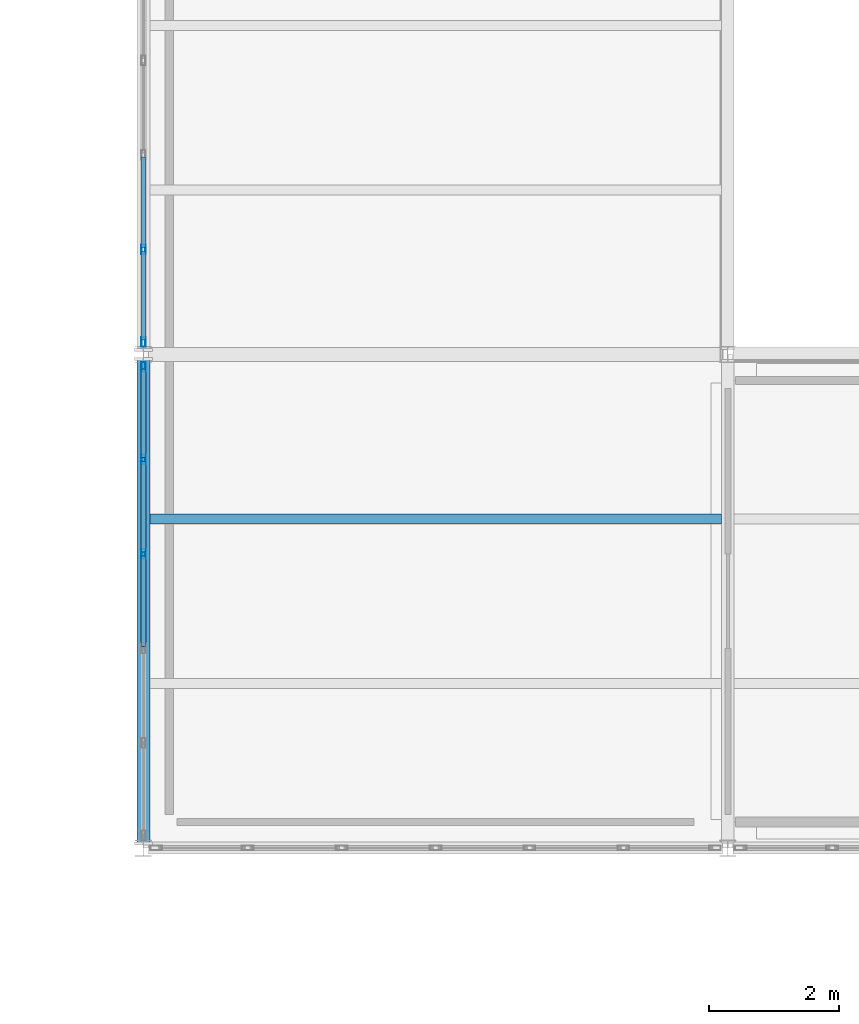
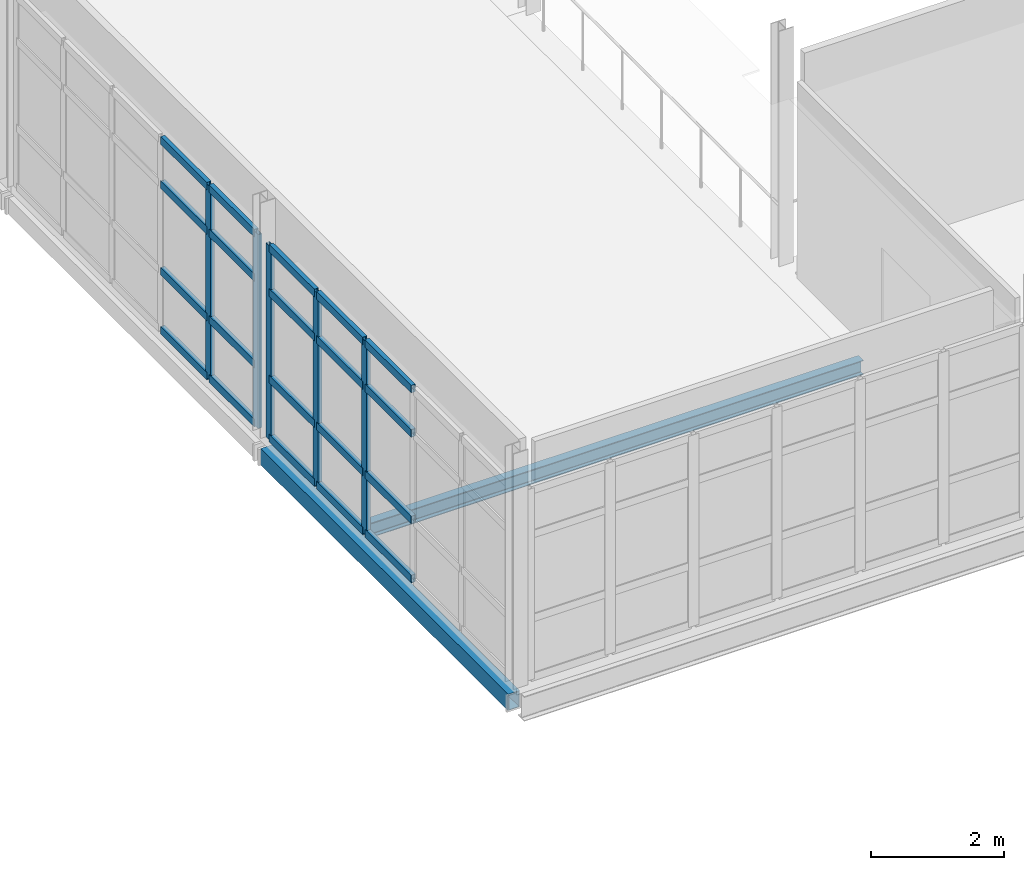
# One storey, part 15 of 48: 25 members, 2 beams, 2 elements without a shape of their own.
"""IFC4 building model written with IfcOpenShell, lengths in metres."""

from ifc_helpers import new_model, si_unit, direction, frame, origin, origin_2d, place, context, subcontext, project, spatial, hollow_rectangle, i_section, extrude, material, material_profile, profile_set, type_object, element, aggregate, save


model = new_model("IFC4")

# Units and contexts
model_context = context("Model", 3, precision=1e-05, world=origin(), true_north=direction((0.0, 1.0)))
body_context = subcontext(model_context, "Body", "Model", "MODEL_VIEW")
ifc_project = project(units=[si_unit("LENGTHUNIT", "METRE"), si_unit("AREAUNIT", "SQUARE_METRE"), si_unit("VOLUMEUNIT", "CUBIC_METRE"), si_unit("PLANEANGLEUNIT", "RADIAN"), si_unit("MASSUNIT", "GRAM", prefix="KILO")], contexts=[model_context])

# Site, building, storey
site_placement = place(None, origin())
site = spatial("IfcSite", under=ifc_project, at=site_placement, CompositionType="ELEMENT")
building_placement = place(site_placement, origin())
building = spatial("IfcBuilding", under=site, at=building_placement, Name="Caisbarro Railhouse Central Library", CompositionType="ELEMENT")
storey_placement = place(building_placement, frame((0.0, 0.0, 18.0)))
storey = spatial("IfcBuildingStorey", under=building, at=storey_placement, Name="L04", CompositionType="ELEMENT", Elevation=18.0)

# Beams
ifc_material_1 = material(Name="Steel ASTM A572 Grade 50", Category="steel")
ifc_material_profile_1 = material_profile(ifc_material_1, i_section(OverallWidth=0.14794921875, OverallDepth=0.26611328125, WebThickness=0.007568359375, FlangeThickness=0.012939453125, FilletRadius=0.010009765625, at=origin_2d()), Name="W250X44.8")
ifc_profile_set_1 = profile_set([ifc_material_profile_1], Name="Steel ASTM A572 Grade 50")
beam_type_1 = type_object("IfcBeamType", Name="BM-J04", PredefinedType="JOIST", material=ifc_profile_set_1)
beam_1_placement = place(storey_placement, frame((117.10009765625, 73.466796875, -0.35302734375), z_axis=(1.0, 0.0, 0.0), x_axis=(0.0, 1.0, 0.0)))
element("IfcBeam", 1, at=beam_1_placement, inside=storey, type_object=beam_type_1, Name="J04 beam L04 #2117", PredefinedType="JOIST", context=body_context, shape_type="SweptSolid", body=[
    extrude(i_section(OverallWidth=0.14794921875, OverallDepth=0.26611328125, WebThickness=0.007568359375, FlangeThickness=0.012939453125, FilletRadius=0.010009765625, at=origin_2d()), origin(), (0.0, 0.0, 1.0), 8.804931640625),
])
ifc_material_profile_2 = material_profile(ifc_material_1, hollow_rectangle(XDim=0.199951171875, YDim=0.300048828125, WallThickness=0.012451171875, at=origin_2d()), Name="HSS300X200X12.5")
ifc_profile_set_2 = profile_set([ifc_material_profile_2], Name="Steel ASTM A572 Grade 50")
beam_type_2 = type_object("IfcBeamType", Name="BM-SP02", PredefinedType="SPANDREL", material=ifc_profile_set_2)
beam_2_placement = place(storey_placement, frame((117.0, 68.47998046875, -0.3701171875), z_axis=(0.0, 1.0, 0.0), x_axis=(-1.0, 0.0, 0.0)))
element("IfcBeam", 2, at=beam_2_placement, inside=storey, type_object=beam_type_2, Name="SP02 beam L04 #2094", PredefinedType="SPANDREL", context=body_context, shape_type="SweptSolid", body=[
    extrude(hollow_rectangle(XDim=0.199951171875, YDim=0.300048828125, WallThickness=0.012451171875, at=origin_2d()), origin(), (0.0, 0.0, 1.0), 7.43994140625),
])

# Curtain wall, members
ifc_material_2 = material(Name="Anodised architectural aluminium", Category="aluminium")
curtain_wall_type = type_object("IfcCurtainWallType", Name="CW-CW02", PredefinedType="NOTDEFINED", material=ifc_material_2)
curtain_wall_1_placement = place(storey_placement, origin())
curtain_wall_1 = element("IfcCurtainWall", 3, at=curtain_wall_1_placement, inside=storey, type_object=curtain_wall_type, Name="CW02 curtain wall L04 #155", PredefinedType="NOTDEFINED")
ifc_material_profile_3 = material_profile(ifc_material_2, hollow_rectangle(XDim=0.06494140625, YDim=0.14990234375, WallThickness=0.00390625, at=origin_2d()), Name="ALU-MUL-65X150")
ifc_profile_set_3 = profile_set([ifc_material_profile_3], Name="Anodised architectural aluminium")
member_type_1 = type_object("IfcMemberType", Name="CWM-M02", PredefinedType="MULLION", material=ifc_profile_set_3)
member_1_placement = place(storey_placement, frame((117.0, 72.927978515625, 0.0), z_axis=(0.0, 0.0, 1.0), x_axis=(-1.0, 0.0, 0.0)))
member_1 = element("IfcMember", 4, at=member_1_placement, type_object=member_type_1, Name="CW02 mullion 4", PredefinedType="MULLION", context=body_context, shape_type="SweptSolid", body=[
    extrude(hollow_rectangle(XDim=0.06494140625, YDim=0.14990234375, WallThickness=0.00390625, at=origin_2d()), origin(), (0.0, 0.0, 1.0), 3.56005859375),
])
member_2_placement = place(storey_placement, frame((117.0, 74.384033203125, 0.0), z_axis=(0.0, 0.0, 1.0), x_axis=(-1.0, 0.0, 0.0)))
member_2 = element("IfcMember", 5, at=member_2_placement, type_object=member_type_1, Name="CW02 mullion 5", PredefinedType="MULLION", context=body_context, shape_type="SweptSolid", body=[
    extrude(hollow_rectangle(XDim=0.06494140625, YDim=0.14990234375, WallThickness=0.00390625, at=origin_2d()), origin(), (0.0, 0.0, 1.0), 3.56005859375),
])
member_3_placement = place(storey_placement, frame((117.0, 75.8076171875, 0.0), z_axis=(0.0, 0.0, 1.0), x_axis=(-1.0, 0.0, 0.0)))
member_3 = element("IfcMember", 6, at=member_3_placement, type_object=member_type_1, Name="CW02 mullion 6", PredefinedType="MULLION", context=body_context, shape_type="SweptSolid", body=[
    extrude(hollow_rectangle(XDim=0.06494140625, YDim=0.14990234375, WallThickness=0.00390625, at=origin_2d()), origin(), (0.0, 0.0, 1.0), 3.56005859375),
])

curtain_wall_2_placement = place(storey_placement, origin())
curtain_wall_2 = element("IfcCurtainWall", 7, at=curtain_wall_2_placement, inside=storey, type_object=curtain_wall_type, Name="CW02 curtain wall L04 #156", PredefinedType="NOTDEFINED")
member_4_placement = place(storey_placement, frame((117.0, 76.1923828125, 0.0), z_axis=(0.0, 0.0, 1.0), x_axis=(-1.0, 0.0, 0.0)))
member_4 = element("IfcMember", 8, at=member_4_placement, type_object=member_type_1, Name="CW02 mullion 1", PredefinedType="MULLION", context=body_context, shape_type="SweptSolid", body=[
    extrude(hollow_rectangle(XDim=0.06494140625, YDim=0.14990234375, WallThickness=0.00390625, at=origin_2d()), origin(), (0.0, 0.0, 1.0), 3.56005859375),
])
member_5_placement = place(storey_placement, frame((117.0, 77.615966796875, 0.0), z_axis=(0.0, 0.0, 1.0), x_axis=(-1.0, 0.0, 0.0)))
member_5 = element("IfcMember", 9, at=member_5_placement, type_object=member_type_1, Name="CW02 mullion 2", PredefinedType="MULLION", context=body_context, shape_type="SweptSolid", body=[
    extrude(hollow_rectangle(XDim=0.06494140625, YDim=0.14990234375, WallThickness=0.00390625, at=origin_2d()), origin(), (0.0, 0.0, 1.0), 3.56005859375),
])

# Member
ifc_material_profile_4 = material_profile(ifc_material_2, hollow_rectangle(XDim=0.074951171875, YDim=0.139892578125, WallThickness=0.00390625, at=origin_2d()), Name="ALU-TRN-75X140")
ifc_profile_set_4 = profile_set([ifc_material_profile_4], Name="Anodised architectural aluminium")
member_type_2 = type_object("IfcMemberType", Name="CWT-T01", PredefinedType="USERDEFINED", material=ifc_profile_set_4)
member_6_placement = place(storey_placement, frame((117.0, 71.50439453125, 0.03759765625), z_axis=(0.0, 1.0, 0.0), x_axis=(-1.0, 0.0, 0.0)))
member_6 = element("IfcMember", 10, at=member_6_placement, type_object=member_type_2, Name="CW02 transom 3.1", ObjectType="TRANSOM", PredefinedType="USERDEFINED", context=body_context, shape_type="SweptSolid", body=[
    extrude(hollow_rectangle(XDim=0.074951171875, YDim=0.139892578125, WallThickness=0.00390625, at=origin_2d()), origin(), (0.0, 0.0, 1.0), 1.39111328125),
])

member_7_placement = place(storey_placement, frame((117.0, 71.50439453125, 1.1201171875), z_axis=(0.0, 1.0, 0.0), x_axis=(-1.0, 0.0, 0.0)))
member_7 = element("IfcMember", 11, at=member_7_placement, type_object=member_type_2, Name="CW02 transom 3.2", ObjectType="TRANSOM", PredefinedType="USERDEFINED", context=body_context, shape_type="SweptSolid", body=[
    extrude(hollow_rectangle(XDim=0.074951171875, YDim=0.139892578125, WallThickness=0.00390625, at=origin_2d()), origin(), (0.0, 0.0, 1.0), 1.39111328125),
])

member_8_placement = place(storey_placement, frame((117.0, 71.50439453125, 2.7099609375), z_axis=(0.0, 1.0, 0.0), x_axis=(-1.0, 0.0, 0.0)))
member_8 = element("IfcMember", 12, at=member_8_placement, type_object=member_type_2, Name="CW02 transom 3.3", ObjectType="TRANSOM", PredefinedType="USERDEFINED", context=body_context, shape_type="SweptSolid", body=[
    extrude(hollow_rectangle(XDim=0.074951171875, YDim=0.139892578125, WallThickness=0.00390625, at=origin_2d()), origin(), (0.0, 0.0, 1.0), 1.39111328125),
])

member_9_placement = place(storey_placement, frame((117.0, 71.50439453125, 3.5224609375), z_axis=(0.0, 1.0, 0.0), x_axis=(-1.0, 0.0, 0.0)))
member_9 = element("IfcMember", 13, at=member_9_placement, type_object=member_type_2, Name="CW02 transom 3.4", ObjectType="TRANSOM", PredefinedType="USERDEFINED", context=body_context, shape_type="SweptSolid", body=[
    extrude(hollow_rectangle(XDim=0.074951171875, YDim=0.139892578125, WallThickness=0.00390625, at=origin_2d()), origin(), (0.0, 0.0, 1.0), 1.39111328125),
])

member_10_placement = place(storey_placement, frame((117.0, 72.96044921875, 0.03759765625), z_axis=(0.0, 1.0, 0.0), x_axis=(-1.0, 0.0, 0.0)))
member_10 = element("IfcMember", 14, at=member_10_placement, type_object=member_type_2, Name="CW02 transom 4.1", ObjectType="TRANSOM", PredefinedType="USERDEFINED", context=body_context, shape_type="SweptSolid", body=[
    extrude(hollow_rectangle(XDim=0.074951171875, YDim=0.139892578125, WallThickness=0.00390625, at=origin_2d()), origin(), (0.0, 0.0, 1.0), 1.39111328125),
])

member_11_placement = place(storey_placement, frame((117.0, 72.96044921875, 1.1201171875), z_axis=(0.0, 1.0, 0.0), x_axis=(-1.0, 0.0, 0.0)))
member_11 = element("IfcMember", 15, at=member_11_placement, type_object=member_type_2, Name="CW02 transom 4.2", ObjectType="TRANSOM", PredefinedType="USERDEFINED", context=body_context, shape_type="SweptSolid", body=[
    extrude(hollow_rectangle(XDim=0.074951171875, YDim=0.139892578125, WallThickness=0.00390625, at=origin_2d()), origin(), (0.0, 0.0, 1.0), 1.39111328125),
])

member_12_placement = place(storey_placement, frame((117.0, 72.96044921875, 2.7099609375), z_axis=(0.0, 1.0, 0.0), x_axis=(-1.0, 0.0, 0.0)))
member_12 = element("IfcMember", 16, at=member_12_placement, type_object=member_type_2, Name="CW02 transom 4.3", ObjectType="TRANSOM", PredefinedType="USERDEFINED", context=body_context, shape_type="SweptSolid", body=[
    extrude(hollow_rectangle(XDim=0.074951171875, YDim=0.139892578125, WallThickness=0.00390625, at=origin_2d()), origin(), (0.0, 0.0, 1.0), 1.39111328125),
])

member_13_placement = place(storey_placement, frame((117.0, 72.96044921875, 3.5224609375), z_axis=(0.0, 1.0, 0.0), x_axis=(-1.0, 0.0, 0.0)))
member_13 = element("IfcMember", 17, at=member_13_placement, type_object=member_type_2, Name="CW02 transom 4.4", ObjectType="TRANSOM", PredefinedType="USERDEFINED", context=body_context, shape_type="SweptSolid", body=[
    extrude(hollow_rectangle(XDim=0.074951171875, YDim=0.139892578125, WallThickness=0.00390625, at=origin_2d()), origin(), (0.0, 0.0, 1.0), 1.39111328125),
])

member_14_placement = place(storey_placement, frame((117.0, 74.41650390625, 0.03759765625), z_axis=(0.0, 1.0, 0.0), x_axis=(-1.0, 0.0, 0.0)))
member_14 = element("IfcMember", 18, at=member_14_placement, type_object=member_type_2, Name="CW02 transom 5.1", ObjectType="TRANSOM", PredefinedType="USERDEFINED", context=body_context, shape_type="SweptSolid", body=[
    extrude(hollow_rectangle(XDim=0.074951171875, YDim=0.139892578125, WallThickness=0.00390625, at=origin_2d()), origin(), (0.0, 0.0, 1.0), 1.3583984375),
])

member_15_placement = place(storey_placement, frame((117.0, 74.41650390625, 1.1201171875), z_axis=(0.0, 1.0, 0.0), x_axis=(-1.0, 0.0, 0.0)))
member_15 = element("IfcMember", 19, at=member_15_placement, type_object=member_type_2, Name="CW02 transom 5.2", ObjectType="TRANSOM", PredefinedType="USERDEFINED", context=body_context, shape_type="SweptSolid", body=[
    extrude(hollow_rectangle(XDim=0.074951171875, YDim=0.139892578125, WallThickness=0.00390625, at=origin_2d()), origin(), (0.0, 0.0, 1.0), 1.3583984375),
])

member_16_placement = place(storey_placement, frame((117.0, 74.41650390625, 2.7099609375), z_axis=(0.0, 1.0, 0.0), x_axis=(-1.0, 0.0, 0.0)))
member_16 = element("IfcMember", 20, at=member_16_placement, type_object=member_type_2, Name="CW02 transom 5.3", ObjectType="TRANSOM", PredefinedType="USERDEFINED", context=body_context, shape_type="SweptSolid", body=[
    extrude(hollow_rectangle(XDim=0.074951171875, YDim=0.139892578125, WallThickness=0.00390625, at=origin_2d()), origin(), (0.0, 0.0, 1.0), 1.3583984375),
])

member_17_placement = place(storey_placement, frame((117.0, 74.41650390625, 3.5224609375), z_axis=(0.0, 1.0, 0.0), x_axis=(-1.0, 0.0, 0.0)))
member_17 = element("IfcMember", 21, at=member_17_placement, type_object=member_type_2, Name="CW02 transom 5.4", ObjectType="TRANSOM", PredefinedType="USERDEFINED", context=body_context, shape_type="SweptSolid", body=[
    extrude(hollow_rectangle(XDim=0.074951171875, YDim=0.139892578125, WallThickness=0.00390625, at=origin_2d()), origin(), (0.0, 0.0, 1.0), 1.3583984375),
])

aggregate(curtain_wall_1, [member_1, member_2, member_3, member_6, member_7, member_8, member_9, member_10, member_11, member_12, member_13, member_14, member_15, member_16, member_17])

member_18_placement = place(storey_placement, frame((117.0, 76.22509765625, 0.03759765625), z_axis=(0.0, 1.0, 0.0), x_axis=(-1.0, 0.0, 0.0)))
member_18 = element("IfcMember", 22, at=member_18_placement, type_object=member_type_2, Name="CW02 transom 1.1", ObjectType="TRANSOM", PredefinedType="USERDEFINED", context=body_context, shape_type="SweptSolid", body=[
    extrude(hollow_rectangle(XDim=0.074951171875, YDim=0.139892578125, WallThickness=0.00390625, at=origin_2d()), origin(), (0.0, 0.0, 1.0), 1.3583984375),
])

member_19_placement = place(storey_placement, frame((117.0, 76.22509765625, 1.1201171875), z_axis=(0.0, 1.0, 0.0), x_axis=(-1.0, 0.0, 0.0)))
member_19 = element("IfcMember", 23, at=member_19_placement, type_object=member_type_2, Name="CW02 transom 1.2", ObjectType="TRANSOM", PredefinedType="USERDEFINED", context=body_context, shape_type="SweptSolid", body=[
    extrude(hollow_rectangle(XDim=0.074951171875, YDim=0.139892578125, WallThickness=0.00390625, at=origin_2d()), origin(), (0.0, 0.0, 1.0), 1.3583984375),
])

member_20_placement = place(storey_placement, frame((117.0, 76.22509765625, 2.7099609375), z_axis=(0.0, 1.0, 0.0), x_axis=(-1.0, 0.0, 0.0)))
member_20 = element("IfcMember", 24, at=member_20_placement, type_object=member_type_2, Name="CW02 transom 1.3", ObjectType="TRANSOM", PredefinedType="USERDEFINED", context=body_context, shape_type="SweptSolid", body=[
    extrude(hollow_rectangle(XDim=0.074951171875, YDim=0.139892578125, WallThickness=0.00390625, at=origin_2d()), origin(), (0.0, 0.0, 1.0), 1.3583984375),
])

member_21_placement = place(storey_placement, frame((117.0, 76.22509765625, 3.5224609375), z_axis=(0.0, 1.0, 0.0), x_axis=(-1.0, 0.0, 0.0)))
member_21 = element("IfcMember", 25, at=member_21_placement, type_object=member_type_2, Name="CW02 transom 1.4", ObjectType="TRANSOM", PredefinedType="USERDEFINED", context=body_context, shape_type="SweptSolid", body=[
    extrude(hollow_rectangle(XDim=0.074951171875, YDim=0.139892578125, WallThickness=0.00390625, at=origin_2d()), origin(), (0.0, 0.0, 1.0), 1.3583984375),
])

member_22_placement = place(storey_placement, frame((117.0, 77.6484375, 0.03759765625), z_axis=(0.0, 1.0, 0.0), x_axis=(-1.0, 0.0, 0.0)))
member_22 = element("IfcMember", 26, at=member_22_placement, type_object=member_type_2, Name="CW02 transom 2.1", ObjectType="TRANSOM", PredefinedType="USERDEFINED", context=body_context, shape_type="SweptSolid", body=[
    extrude(hollow_rectangle(XDim=0.074951171875, YDim=0.139892578125, WallThickness=0.00390625, at=origin_2d()), origin(), (0.0, 0.0, 1.0), 1.39111328125),
])

member_23_placement = place(storey_placement, frame((117.0, 77.6484375, 1.1201171875), z_axis=(0.0, 1.0, 0.0), x_axis=(-1.0, 0.0, 0.0)))
member_23 = element("IfcMember", 27, at=member_23_placement, type_object=member_type_2, Name="CW02 transom 2.2", ObjectType="TRANSOM", PredefinedType="USERDEFINED", context=body_context, shape_type="SweptSolid", body=[
    extrude(hollow_rectangle(XDim=0.074951171875, YDim=0.139892578125, WallThickness=0.00390625, at=origin_2d()), origin(), (0.0, 0.0, 1.0), 1.39111328125),
])

member_24_placement = place(storey_placement, frame((117.0, 77.6484375, 2.7099609375), z_axis=(0.0, 1.0, 0.0), x_axis=(-1.0, 0.0, 0.0)))
member_24 = element("IfcMember", 28, at=member_24_placement, type_object=member_type_2, Name="CW02 transom 2.3", ObjectType="TRANSOM", PredefinedType="USERDEFINED", context=body_context, shape_type="SweptSolid", body=[
    extrude(hollow_rectangle(XDim=0.074951171875, YDim=0.139892578125, WallThickness=0.00390625, at=origin_2d()), origin(), (0.0, 0.0, 1.0), 1.39111328125),
])

member_25_placement = place(storey_placement, frame((117.0, 77.6484375, 3.5224609375), z_axis=(0.0, 1.0, 0.0), x_axis=(-1.0, 0.0, 0.0)))
member_25 = element("IfcMember", 29, at=member_25_placement, type_object=member_type_2, Name="CW02 transom 2.4", ObjectType="TRANSOM", PredefinedType="USERDEFINED", context=body_context, shape_type="SweptSolid", body=[
    extrude(hollow_rectangle(XDim=0.074951171875, YDim=0.139892578125, WallThickness=0.00390625, at=origin_2d()), origin(), (0.0, 0.0, 1.0), 1.39111328125),
])

aggregate(curtain_wall_2, [member_4, member_5, member_18, member_19, member_20, member_21, member_22, member_23, member_24, member_25])

save(model, "model.ifc")
